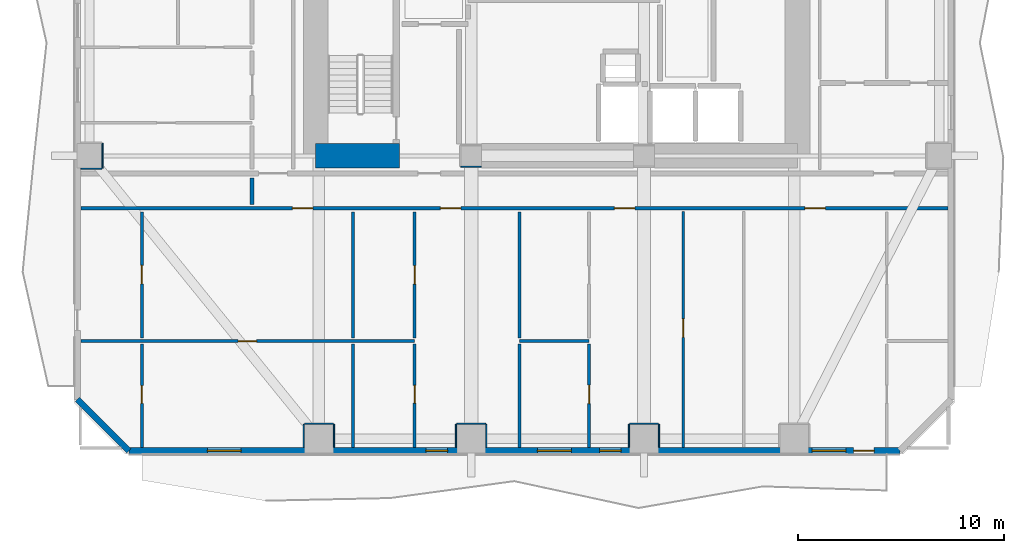
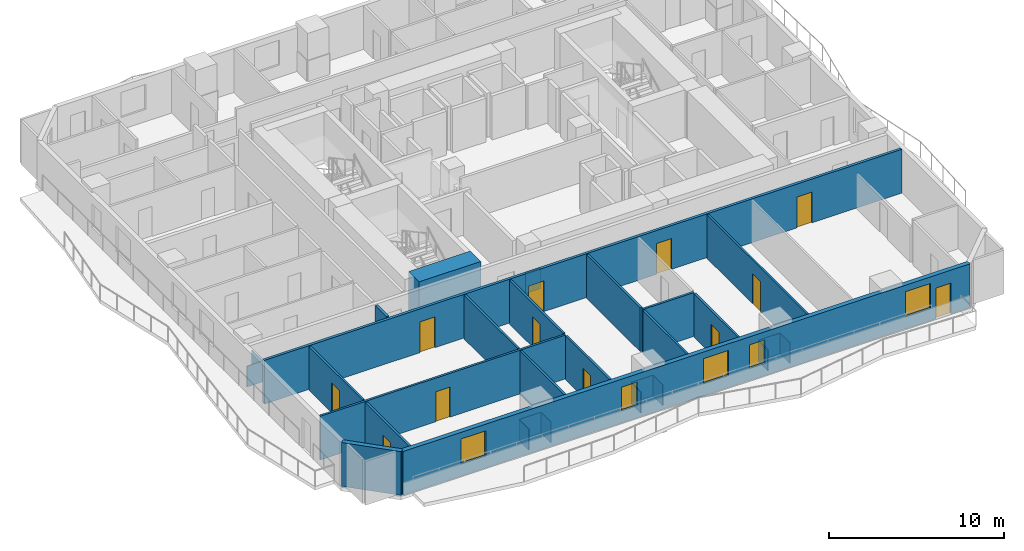
# One storey, part 2 of 11: 29 walls, 12 doors, 5 windows, 17 openings.
"""IFC4 building model written with IfcOpenShell, lengths in metres."""

from ifc_helpers import new_model, si_unit, direction, frame, frame_2d, origin, place, context, subcontext, project, spatial, rectangle, extrude, material, layer, layer_set, type_object, element, fill, save


model = new_model("IFC4")

# Units and contexts
model_context = context("Model", 3, precision=1e-05, world=origin(), true_north=direction((0.0, 1.0)))
body_context = subcontext(model_context, "Body", "Model", "MODEL_VIEW")
ifc_project = project(units=[si_unit("LENGTHUNIT", "METRE"), si_unit("AREAUNIT", "SQUARE_METRE"), si_unit("VOLUMEUNIT", "CUBIC_METRE"), si_unit("PLANEANGLEUNIT", "RADIAN"), si_unit("MASSUNIT", "GRAM", prefix="KILO")], contexts=[model_context])

# Site, building, storey
site_placement = place(None, origin())
site = spatial("IfcSite", under=ifc_project, at=site_placement, CompositionType="ELEMENT")
building_placement = place(site_placement, origin())
building = spatial("IfcBuilding", under=site, at=building_placement, Name="Solanera Arch Residences", CompositionType="ELEMENT")
storey_placement = place(building_placement, frame((0.0, 0.0, 25.320068359375)))
storey = spatial("IfcBuildingStorey", under=building, at=storey_placement, Name="L06", CompositionType="ELEMENT", Elevation=25.320068359375)

# Walls
ifc_material_1 = material(Name="Fire-Rated Gypsum Stud Partition", Category="gypsum")
ifc_layer_1 = layer(ifc_material_1, 0.06005859375)
ifc_layer_set_1 = layer_set([ifc_layer_1], Name="Fire-Rated Gypsum Stud Partition")
wall_type_1 = type_object("IfcWallType", Name="Column Acoustic Furring Wall 60", PredefinedType="PARTITIONING", material=ifc_layer_set_1)
wall_1_placement = place(storey_placement, frame((20.300048828125, 21.468017578125, 0.0), z_axis=(0.0, 0.0, 1.0), x_axis=(1.0, 0.0, 0.0)))
element("IfcWall", 1, at=wall_1_placement, inside=storey, type_object=wall_type_1, Name="L06 Column Furring 1S", PredefinedType="PARTITIONING", context=body_context, shape_type="SweptSolid", body=[
    extrude(rectangle(XDim=0.989990234375, YDim=0.06005859375, at=frame_2d((0.4951171875, 0.0))), origin(), (0.0, 0.0, 1.0), 1.449951171875),
])
wall_2_placement = place(storey_placement, frame((12.699951171875, 8.98193359375, 0.0), z_axis=(0.0, 0.0, 1.0), x_axis=(1.0, 0.0, 0.0)))
element("IfcWall", 2, at=wall_2_placement, inside=storey, type_object=wall_type_1, Name="L06 Column Furring 9N", PredefinedType="PARTITIONING", context=body_context, shape_type="SweptSolid", body=[
    extrude(rectangle(XDim=1.400146484375, YDim=0.06005859375, at=frame_2d((0.7001953125, 0.0))), origin(), (0.0, 0.0, 1.0), 1.449951171875),
])
for number, where, z_axis, x_axis, name in (
    (3, (12.66796875, 7.830078125, 0.0), (0.0, 0.0, 1.0), (0.0, 1.0, 0.0), "L06 Column Furring 9W"),
    (4, (14.132080078125, 7.830078125, 0.0), (0.0, 0.0, 1.0), (0.0, 1.0, 0.0), "L06 Column Furring 9E"),
):
    element("IfcWall", number, at=place(storey_placement, frame(where, z_axis=z_axis, x_axis=x_axis)), inside=storey, type_object=wall_type_1, Name=name, PredefinedType="PARTITIONING", context=body_context, shape_type="SweptSolid", body=[
        extrude(rectangle(XDim=1.119873046875, YDim=0.06005859375, at=frame_2d((0.56005859375, 0.0))), origin(), (0.0, 0.0, 1.0), 1.449951171875),
    ])
wall_3_placement = place(storey_placement, frame((20.10009765625, 8.98193359375, 0.0), z_axis=(0.0, 0.0, 1.0), x_axis=(1.0, 0.0, 0.0)))
element("IfcWall", 5, at=wall_3_placement, inside=storey, type_object=wall_type_1, Name="L06 Column Furring 11N", PredefinedType="PARTITIONING", context=body_context, shape_type="SweptSolid", body=[
    extrude(rectangle(XDim=1.39990234375, YDim=0.06005859375, at=frame_2d((0.699951171875, 0.0))), origin(), (0.0, 0.0, 1.0), 1.449951171875),
])
for number, where, z_axis, x_axis, name in (
    (6, (20.068115234375, 7.830078125, 0.0), (0.0, 0.0, 1.0), (0.0, 1.0, 0.0), "L06 Column Furring 11W"),
    (7, (21.531982421875, 7.830078125, 0.0), (0.0, 0.0, 1.0), (0.0, 1.0, 0.0), "L06 Column Furring 11E"),
):
    element("IfcWall", number, at=place(storey_placement, frame(where, z_axis=z_axis, x_axis=x_axis)), inside=storey, type_object=wall_type_1, Name=name, PredefinedType="PARTITIONING", context=body_context, shape_type="SweptSolid", body=[
        extrude(rectangle(XDim=1.119873046875, YDim=0.06005859375, at=frame_2d((0.56005859375, 0.0))), origin(), (0.0, 0.0, 1.0), 1.449951171875),
    ])
wall_4_placement = place(storey_placement, frame((28.5, 8.98193359375, 0.0), z_axis=(0.0, 0.0, 1.0), x_axis=(1.0, 0.0, 0.0)))
element("IfcWall", 8, at=wall_4_placement, inside=storey, type_object=wall_type_1, Name="L06 Column Furring 13N", PredefinedType="PARTITIONING", context=body_context, shape_type="SweptSolid", body=[
    extrude(rectangle(XDim=1.39990234375, YDim=0.06005859375, at=frame_2d((0.699951171875, 0.0))), origin(), (0.0, 0.0, 1.0), 1.449951171875),
])
for number, where, z_axis, x_axis, name in (
    (9, (28.468017578125, 7.830078125, 0.0), (0.0, 0.0, 1.0), (0.0, 1.0, 0.0), "L06 Column Furring 13W"),
    (10, (29.931884765625, 7.830078125, 0.0), (0.0, 0.0, 1.0), (0.0, 1.0, 0.0), "L06 Column Furring 13E"),
):
    element("IfcWall", number, at=place(storey_placement, frame(where, z_axis=z_axis, x_axis=x_axis)), inside=storey, type_object=wall_type_1, Name=name, PredefinedType="PARTITIONING", context=body_context, shape_type="SweptSolid", body=[
        extrude(rectangle(XDim=1.119873046875, YDim=0.06005859375, at=frame_2d((0.56005859375, 0.0))), origin(), (0.0, 0.0, 1.0), 1.449951171875),
    ])
wall_5_placement = place(storey_placement, frame((1.830078125, 21.367919921875, 0.0), z_axis=(0.0, 0.0, 1.0), x_axis=(1.0, 0.0, 0.0)))
element("IfcWall", 11, at=wall_5_placement, inside=storey, type_object=wall_type_1, Name="L06 Column Furring 17S", PredefinedType="PARTITIONING", context=body_context, shape_type="SweptSolid", body=[
    extrude(rectangle(XDim=1.02001953125, YDim=0.06005859375, at=frame_2d((0.510009765625, 0.0))), origin(), (0.0, 0.0, 1.0), 1.449951171875),
])
wall_6_placement = place(storey_placement, frame((2.882080078125, 21.39990234375, 0.0), z_axis=(0.0, 0.0, 1.0), x_axis=(0.0, 1.0, 0.0)))
element("IfcWall", 12, at=wall_6_placement, inside=storey, type_object=wall_type_1, Name="L06 Column Furring 17E", PredefinedType="PARTITIONING", context=body_context, shape_type="SweptSolid", body=[
    extrude(rectangle(XDim=1.2001953125, YDim=0.06005859375, at=frame_2d((0.60009765625, 0.0))), origin(), (0.0, 0.0, 1.0), 1.449951171875),
])
ifc_material_2 = material(Name="Concrete C55/67 (f'c = 60 MPa)", Category="concrete")
ifc_layer_2 = layer(ifc_material_2, 1.199951171875)
ifc_layer_set_2 = layer_set([ifc_layer_2], Name="Concrete C55/67 (f'c = 60 MPa)")
wall_type_2 = type_object("IfcWallType", Name="Core Shear Wall CW-1200", PredefinedType="SHEAR", material=ifc_layer_set_2)
wall_7_placement = place(storey_placement, frame((13.239990234375, 22.0, 0.0), z_axis=(0.0, 0.0, 1.0), x_axis=(1.0, 0.0, 0.0)))
element("IfcWall", 13, at=wall_7_placement, inside=storey, type_object=wall_type_2, Name="L06 South-West Core Shear Wall", PredefinedType="SHEAR", context=body_context, shape_type="SweptSolid", body=[
    extrude(rectangle(XDim=4.080078125, YDim=1.199951171875, at=frame_2d((2.0400390625, 0.0))), origin(), (0.0, 0.0, 1.0), 3.31982421875),
])

# Wall, openings, doors
ifc_material_3 = material(Name="Autoclaved Aerated Concrete Blockwork", Category="masonry")
ifc_layer_3 = layer(ifc_material_3, 0.179931640625)
ifc_layer_set_3 = layer_set([ifc_layer_3], Name="Autoclaved Aerated Concrete Blockwork")
wall_type_3 = type_object("IfcWallType", Name="Corridor Fire Partition 180", PredefinedType="PARTITIONING", material=ifc_layer_set_3)
wall_8_placement = place(storey_placement, frame((1.826904296875, 19.449951171875, 0.0), z_axis=(0.0, 0.0, 1.0), x_axis=(1.0, 0.0, 0.0)))
wall_8 = element("IfcWall", 14, at=wall_8_placement, inside=storey, type_object=wall_type_3, Name="L06 Interior Partition H8", PredefinedType="PARTITIONING", context=body_context, shape_type="SweptSolid", body=[
    extrude(rectangle(XDim=42.14599609375, YDim=0.179931640625, at=frame_2d((21.072998046875, 0.0))), origin(), (0.0, 0.0, 1.0), 3.059814453125),
])
opening_1_placement = place(wall_8_placement, frame((10.282958984375, 0.0, 0.0)))
opening_1 = element("IfcOpeningElement", 15, at=opening_1_placement, cuts=wall_8, Name="Opening DI-01", PredefinedType="OPENING", context=body_context, shape_type="SweptSolid", body=[
    extrude(rectangle(XDim=1.0, YDim=2.14990234375, at=frame_2d((0.5, 1.074951171875))), frame((0.0, 0.10009765625, 0.0), z_axis=(0.0, -1.0, 0.0), x_axis=(1.0, 0.0, 0.0)), (0.0, 0.0, 1.0), 0.1999),
])
opening_2_placement = place(wall_8_placement, frame((17.47509765625, 0.0, 0.0)))
opening_2 = element("IfcOpeningElement", 16, at=opening_2_placement, cuts=wall_8, Name="Opening DI-01", PredefinedType="OPENING", context=body_context, shape_type="SweptSolid", body=[
    extrude(rectangle(XDim=1.0, YDim=2.14990234375, at=frame_2d((0.5, 1.074951171875))), frame((0.0, 0.10009765625, 0.0), z_axis=(0.0, -1.0, 0.0), x_axis=(1.0, 0.0, 0.0)), (0.0, 0.0, 1.0), 0.1999),
])
opening_3_placement = place(wall_8_placement, frame((25.927978515625, 0.0, 0.0)))
opening_3 = element("IfcOpeningElement", 17, at=opening_3_placement, cuts=wall_8, Name="Opening DI-01", PredefinedType="OPENING", context=body_context, shape_type="SweptSolid", body=[
    extrude(rectangle(XDim=1.0, YDim=2.14990234375, at=frame_2d((0.5, 1.074951171875))), frame((0.0, 0.10009765625, 0.0), z_axis=(0.0, -1.0, 0.0), x_axis=(1.0, 0.0, 0.0)), (0.0, 0.0, 1.0), 0.1999),
])
opening_4_placement = place(wall_8_placement, frame((35.193115234375, 0.0, 0.0)))
opening_4 = element("IfcOpeningElement", 18, at=opening_4_placement, cuts=wall_8, Name="Opening DI-01", PredefinedType="OPENING", context=body_context, shape_type="SweptSolid", body=[
    extrude(rectangle(XDim=1.0, YDim=2.14990234375, at=frame_2d((0.5, 1.074951171875))), frame((0.0, 0.10009765625, 0.0), z_axis=(0.0, -1.0, 0.0), x_axis=(1.0, 0.0, 0.0)), (0.0, 0.0, 1.0), 0.1999),
])
ifc_material_4 = material(Name="Fire-Rated Architectural Hardwood", Category="wood")
door_type_1 = type_object("IfcDoorType", Name="Unit Entrance Fire Door DI-01", OperationType="NOTDEFINED", PredefinedType="DOOR", material=ifc_material_4)
door_1_placement = place(opening_1_placement, origin())
door_1 = element("IfcDoor", 19, at=door_1_placement, inside=storey, type_object=door_type_1, Name="DR-L06-IN-013", OperationType="SINGLE_SWING_LEFT", OverallHeight=2.14990234375, OverallWidth=1.0, PredefinedType="DOOR", context=body_context, shape_type="SweptSolid", body=[
    extrude(rectangle(XDim=1.0, YDim=2.14990234375, at=frame_2d((0.5, 1.074951171875))), frame((0.0, 0.02490234375, 0.0), z_axis=(0.0, -1.0, 0.0), x_axis=(1.0, 0.0, 0.0)), (0.0, 0.0, 1.0), 0.050048828125),
])
fill(opening_1, door_1)
door_2_placement = place(opening_2_placement, origin())
door_2 = element("IfcDoor", 20, at=door_2_placement, inside=storey, type_object=door_type_1, Name="DR-L06-IN-017", OperationType="SINGLE_SWING_LEFT", OverallHeight=2.14990234375, OverallWidth=1.0, PredefinedType="DOOR", context=body_context, shape_type="SweptSolid", body=[
    extrude(rectangle(XDim=1.0, YDim=2.14990234375, at=frame_2d((0.5, 1.074951171875))), frame((0.0, 0.02490234375, 0.0), z_axis=(0.0, -1.0, 0.0), x_axis=(1.0, 0.0, 0.0)), (0.0, 0.0, 1.0), 0.050048828125),
])
fill(opening_2, door_2)
door_3_placement = place(opening_3_placement, origin())
door_3 = element("IfcDoor", 21, at=door_3_placement, inside=storey, type_object=door_type_1, Name="DR-L06-IN-020", OperationType="SINGLE_SWING_RIGHT", OverallHeight=2.14990234375, OverallWidth=1.0, PredefinedType="DOOR", context=body_context, shape_type="SweptSolid", body=[
    extrude(rectangle(XDim=1.0, YDim=2.14990234375, at=frame_2d((0.5, 1.074951171875))), frame((0.0, 0.02490234375, 0.0), z_axis=(0.0, -1.0, 0.0), x_axis=(1.0, 0.0, 0.0)), (0.0, 0.0, 1.0), 0.050048828125),
])
fill(opening_3, door_3)
door_4_placement = place(opening_4_placement, origin())
door_4 = element("IfcDoor", 22, at=door_4_placement, inside=storey, type_object=door_type_1, Name="DR-L06-IN-024", OperationType="SINGLE_SWING_RIGHT", OverallHeight=2.14990234375, OverallWidth=1.0, PredefinedType="DOOR", context=body_context, shape_type="SweptSolid", body=[
    extrude(rectangle(XDim=1.0, YDim=2.14990234375, at=frame_2d((0.5, 1.074951171875))), frame((0.0, 0.02490234375, 0.0), z_axis=(0.0, -1.0, 0.0), x_axis=(1.0, 0.0, 0.0)), (0.0, 0.0, 1.0), 0.050048828125),
])
fill(opening_4, door_4)

# Wall
wall_9_placement = place(storey_placement, frame((10.14990234375, 19.637939453125, 0.0), z_axis=(0.0, 0.0, 1.0), x_axis=(0.0, 1.0, 0.0)))
element("IfcWall", 23, at=wall_9_placement, inside=storey, type_object=wall_type_3, Name="L06 Interior Partition V7 1", PredefinedType="PARTITIONING", context=body_context, shape_type="SweptSolid", body=[
    extrude(rectangle(XDim=1.2939453125, YDim=0.179931640625, at=frame_2d((0.64697265625, 0.0))), origin(), (0.0, 0.0, 1.0), 3.059814453125),
])

# Wall, openings, door, windows
ifc_material_5 = material(Name="Precast Concrete C35/45", Category="concrete")
ifc_layer_4 = layer(ifc_material_5, 0.300048828125)
ifc_layer_set_4 = layer_set([ifc_layer_4], Name="Precast Concrete C35/45")
wall_type_4 = type_object("IfcWallType", Name="Exterior Wall Precast Masonry-Frame 300", PredefinedType="STANDARD", material=ifc_layer_set_4)
wall_10_placement = place(storey_placement, frame((41.635009765625, 7.6650390625, 0.0), z_axis=(0.0, 0.0, 1.0), x_axis=(-1.0, 0.0, 0.0)))
wall_10 = element("IfcWall", 24, at=wall_10_placement, inside=storey, type_object=wall_type_4, Name="L06 Tower Exterior Precast Masonry-Frame Wall S", PredefinedType="STANDARD", context=body_context, shape_type="SweptSolid", body=[
    extrude(rectangle(XDim=37.469970703125, YDim=0.300048828125, at=frame_2d((18.73486328125, 0.0))), origin(), (0.0, 0.0, 1.0), 3.059814453125),
])
opening_5_placement = place(wall_10_placement, frame((1.2509765625, 0.0, 0.0)))
opening_5 = element("IfcOpeningElement", 25, at=opening_5_placement, cuts=wall_10, Name="Opening DB-01", PredefinedType="OPENING", context=body_context, shape_type="SweptSolid", body=[
    extrude(rectangle(XDim=1.0, YDim=2.14990234375, at=frame_2d((0.5, 1.074951171875))), frame((0.0, 0.159912109375, 0.0), z_axis=(0.0, -1.0, 0.0), x_axis=(1.0, 0.0, 0.0)), (0.0, 0.0, 1.0), 0.32),
])
opening_6_placement = place(wall_10_placement, frame((32.010009765625, 0.0, 0.85009765625)))
opening_6 = element("IfcOpeningElement", 26, at=opening_6_placement, cuts=wall_10, Name="Opening W-08", PredefinedType="OPENING", context=body_context, shape_type="SweptSolid", body=[
    extrude(rectangle(XDim=1.64990234375, YDim=1.75, at=frame_2d((0.824951171875, 0.875))), frame((0.0, 0.159912109375, 0.0), z_axis=(0.0, -1.0, 0.0), x_axis=(1.0, 0.0, 0.0)), (0.0, 0.0, 1.0), 0.32),
])
opening_7_placement = place(wall_10_placement, frame((21.985107421875, 0.0, 0.85009765625)))
opening_7 = element("IfcOpeningElement", 27, at=opening_7_placement, cuts=wall_10, Name="Opening W-07", PredefinedType="OPENING", context=body_context, shape_type="SweptSolid", body=[
    extrude(rectangle(XDim=1.050048828125, YDim=1.64990234375, at=frame_2d((0.52490234375, 0.824951171875))), frame((0.0, 0.159912109375, 0.0), z_axis=(0.0, -1.0, 0.0), x_axis=(1.0, 0.0, 0.0)), (0.0, 0.0, 1.0), 0.32),
])
opening_8_placement = place(wall_10_placement, frame((13.544921875, 0.0, 0.85009765625)))
opening_8 = element("IfcOpeningElement", 28, at=opening_8_placement, cuts=wall_10, Name="Opening W-07", PredefinedType="OPENING", context=body_context, shape_type="SweptSolid", body=[
    extrude(rectangle(XDim=1.050048828125, YDim=1.64990234375, at=frame_2d((0.52490234375, 0.824951171875))), frame((0.0, 0.159912109375, 0.0), z_axis=(0.0, -1.0, 0.0), x_axis=(1.0, 0.0, 0.0)), (0.0, 0.0, 1.0), 0.32),
])
opening_9_placement = place(wall_10_placement, frame((15.968017578125, 0.0, 0.85009765625)))
opening_9 = element("IfcOpeningElement", 29, at=opening_9_placement, cuts=wall_10, Name="Opening W-08", PredefinedType="OPENING", context=body_context, shape_type="SweptSolid", body=[
    extrude(rectangle(XDim=1.64990234375, YDim=1.75, at=frame_2d((0.824951171875, 0.875))), frame((0.0, 0.159912109375, 0.0), z_axis=(0.0, -1.0, 0.0), x_axis=(1.0, 0.0, 0.0)), (0.0, 0.0, 1.0), 0.32),
])
opening_10_placement = place(wall_10_placement, frame((2.617919921875, 0.0, 0.85009765625)))
opening_10 = element("IfcOpeningElement", 30, at=opening_10_placement, cuts=wall_10, Name="Opening W-08", PredefinedType="OPENING", context=body_context, shape_type="SweptSolid", body=[
    extrude(rectangle(XDim=1.64990234375, YDim=1.75, at=frame_2d((0.824951171875, 0.875))), frame((0.0, 0.159912109375, 0.0), z_axis=(0.0, -1.0, 0.0), x_axis=(1.0, 0.0, 0.0)), (0.0, 0.0, 1.0), 0.32),
])
ifc_material_6 = material(Name="Anodised Aluminium Alloy 6063-T6", Category="aluminium")
door_type_2 = type_object("IfcDoorType", Name="Glazed Balcony Swing Door DB-01", OperationType="NOTDEFINED", PredefinedType="DOOR", material=ifc_material_6)
door_5_placement = place(opening_5_placement, origin())
door_5 = element("IfcDoor", 31, at=door_5_placement, inside=storey, type_object=door_type_2, Name="DR-L06-OUT-01", OperationType="SINGLE_SWING_RIGHT", OverallHeight=2.14990234375, OverallWidth=1.0, PredefinedType="DOOR", context=body_context, shape_type="SweptSolid", body=[
    extrude(rectangle(XDim=1.0, YDim=2.14990234375, at=frame_2d((0.5, 1.074951171875))), frame((0.0, 0.02490234375, 0.0), z_axis=(0.0, -1.0, 0.0), x_axis=(1.0, 0.0, 0.0)), (0.0, 0.0, 1.0), 0.050048828125),
])
fill(opening_5, door_5)
ifc_material_7 = material(Name="Double Glazed Low-E Laminated Glass", Category="glass")
window_type_1 = type_object("IfcWindowType", Name="Punched Window W-07", PartitioningType="SINGLE_PANEL", PredefinedType="WINDOW", material=ifc_material_7)
window_1_placement = place(opening_7_placement, origin())
window_1 = element("IfcWindow", 32, at=window_1_placement, inside=storey, type_object=window_type_1, Name="L06 0602-LIV Punched Window", OverallHeight=1.64990234375, OverallWidth=1.050048828125, PartitioningType="SINGLE_PANEL", PredefinedType="WINDOW", context=body_context, shape_type="SweptSolid", body=[
    extrude(rectangle(XDim=1.050048828125, YDim=1.64990234375, at=frame_2d((0.52490234375, 0.824951171875))), frame((0.0, 0.030029296875, 0.0), z_axis=(0.0, -1.0, 0.0), x_axis=(1.0, 0.0, 0.0)), (0.0, 0.0, 1.0), 0.06005859375),
])
fill(opening_7, window_1)
window_2_placement = place(opening_8_placement, origin())
window_2 = element("IfcWindow", 33, at=window_2_placement, inside=storey, type_object=window_type_1, Name="L06 0603-LIV Punched Window", OverallHeight=1.64990234375, OverallWidth=1.050048828125, PartitioningType="SINGLE_PANEL", PredefinedType="WINDOW", context=body_context, shape_type="SweptSolid", body=[
    extrude(rectangle(XDim=1.050048828125, YDim=1.64990234375, at=frame_2d((0.52490234375, 0.824951171875))), frame((0.0, 0.030029296875, 0.0), z_axis=(0.0, -1.0, 0.0), x_axis=(1.0, 0.0, 0.0)), (0.0, 0.0, 1.0), 0.06005859375),
])
fill(opening_8, window_2)
ifc_material_8 = material(Name="Double Glazed Low-E Laminated Glass", Category="glass")
window_type_2 = type_object("IfcWindowType", Name="Punched Window W-08", PartitioningType="DOUBLE_PANEL_HORIZONTAL", PredefinedType="WINDOW", material=ifc_material_8)
window_3_placement = place(opening_6_placement, origin())
window_3 = element("IfcWindow", 34, at=window_3_placement, inside=storey, type_object=window_type_2, Name="L06 0601-LIV Punched Window", OverallHeight=1.75, OverallWidth=1.64990234375, PartitioningType="SINGLE_PANEL", PredefinedType="WINDOW", context=body_context, shape_type="SweptSolid", body=[
    extrude(rectangle(XDim=1.64990234375, YDim=1.75, at=frame_2d((0.824951171875, 0.875))), frame((0.0, 0.030029296875, 0.0), z_axis=(0.0, -1.0, 0.0), x_axis=(1.0, 0.0, 0.0)), (0.0, 0.0, 1.0), 0.06005859375),
])
fill(opening_6, window_3)
window_4_placement = place(opening_9_placement, origin())
window_4 = element("IfcWindow", 35, at=window_4_placement, inside=storey, type_object=window_type_2, Name="L06 0603-BR1 Punched Window", OverallHeight=1.75, OverallWidth=1.64990234375, PartitioningType="SINGLE_PANEL", PredefinedType="WINDOW", context=body_context, shape_type="SweptSolid", body=[
    extrude(rectangle(XDim=1.64990234375, YDim=1.75, at=frame_2d((0.824951171875, 0.875))), frame((0.0, 0.030029296875, 0.0), z_axis=(0.0, -1.0, 0.0), x_axis=(1.0, 0.0, 0.0)), (0.0, 0.0, 1.0), 0.06005859375),
])
fill(opening_9, window_4)
window_5_placement = place(opening_10_placement, origin())
window_5 = element("IfcWindow", 36, at=window_5_placement, inside=storey, type_object=window_type_2, Name="L06 0604-LIV Punched Window", OverallHeight=1.75, OverallWidth=1.64990234375, PartitioningType="SINGLE_PANEL", PredefinedType="WINDOW", context=body_context, shape_type="SweptSolid", body=[
    extrude(rectangle(XDim=1.64990234375, YDim=1.75, at=frame_2d((0.824951171875, 0.875))), frame((0.0, 0.030029296875, 0.0), z_axis=(0.0, -1.0, 0.0), x_axis=(1.0, 0.0, 0.0)), (0.0, 0.0, 1.0), 0.06005859375),
])
fill(opening_10, window_5)

# Wall
wall_11_placement = place(storey_placement, frame((4.1650390625, 7.6650390625, 0.0), z_axis=(0.0, 0.0, 1.0), x_axis=(-0.707106781187, 0.707106781187, 0.0)))
element("IfcWall", 37, at=wall_11_placement, inside=storey, type_object=wall_type_4, Name="L06 Tower Exterior Precast Masonry-Frame Wall CH7", PredefinedType="STANDARD", context=body_context, shape_type="SweptSolid", body=[
    extrude(rectangle(XDim=3.53564453125, YDim=0.300048828125, at=frame_2d((1.767822265625, 0.0))), origin(), (0.0, 0.0, 1.0), 3.059814453125),
])

# Wall, opening, door
ifc_material_9 = material(Name="Fire-Rated Gypsum Stud Partition", Category="gypsum")
ifc_layer_5 = layer(ifc_material_9, 0.1201171875)
ifc_layer_set_5 = layer_set([ifc_layer_5], Name="Fire-Rated Gypsum Stud Partition")
wall_type_5 = type_object("IfcWallType", Name="Unit Drywall Partition 120", PredefinedType="PARTITIONING", material=ifc_layer_set_5)
wall_12_placement = place(storey_placement, frame((31.10107421875, 7.826904296875, 0.0), z_axis=(0.0, 0.0, 1.0), x_axis=(0.0, 1.0, 0.0)))
wall_12 = element("IfcWall", 38, at=wall_12_placement, inside=storey, type_object=wall_type_5, Name="L06 Interior Partition V28", PredefinedType="PARTITIONING", context=body_context, shape_type="SweptSolid", body=[
    extrude(rectangle(XDim=11.465087890625, YDim=0.1201171875, at=frame_2d((5.732421875, 0.0))), origin(), (0.0, 0.0, 1.0), 3.059814453125),
])
opening_11_placement = place(wall_12_placement, frame((5.347900390625, 0.0, 0.0)))
opening_11 = element("IfcOpeningElement", 39, at=opening_11_placement, cuts=wall_12, Name="Opening DI-02", PredefinedType="OPENING", context=body_context, shape_type="SweptSolid", body=[
    extrude(rectangle(XDim=0.89990234375, YDim=2.10009765625, at=frame_2d((0.449951171875, 1.050048828125))), frame((0.0, 0.070068359375, 0.0), z_axis=(0.0, -1.0, 0.0), x_axis=(1.0, 0.0, 0.0)), (0.0, 0.0, 1.0), 0.1401),
])
ifc_material_10 = material(Name="Fire-Rated Architectural Hardwood", Category="wood")
door_type_3 = type_object("IfcDoorType", Name="Suite Room Swing Door DI-02", OperationType="NOTDEFINED", PredefinedType="DOOR", material=ifc_material_10)
door_6_placement = place(opening_11_placement, origin())
door_6 = element("IfcDoor", 40, at=door_6_placement, inside=storey, type_object=door_type_3, Name="DR-L06-IN-023", OperationType="SINGLE_SWING_LEFT", OverallHeight=2.10009765625, OverallWidth=0.89990234375, PredefinedType="DOOR", context=body_context, shape_type="SweptSolid", body=[
    extrude(rectangle(XDim=0.89990234375, YDim=2.10009765625, at=frame_2d((0.449951171875, 1.050048828125))), frame((0.0, 0.02490234375, 0.0), z_axis=(0.0, -1.0, 0.0), x_axis=(1.0, 0.0, 0.0)), (0.0, 0.0, 1.0), 0.050048828125),
])
fill(opening_11, door_6)

ifc_material_11 = material(Name="Autoclaved Aerated Concrete Blockwork", Category="masonry")
ifc_layer_6 = layer(ifc_material_11, 0.139892578125)
ifc_layer_set_6 = layer_set([ifc_layer_6], Name="Autoclaved Aerated Concrete Blockwork")
wall_type_6 = type_object("IfcWallType", Name="Wet-Room Partition 140", PredefinedType="PARTITIONING", material=ifc_layer_set_6)
wall_13_placement = place(storey_placement, frame((1.826904296875, 13.0, 0.0), z_axis=(0.0, 0.0, 1.0), x_axis=(1.0, 0.0, 0.0)))
wall_13 = element("IfcWall", 41, at=wall_13_placement, inside=storey, type_object=wall_type_6, Name="L06 Interior Partition H15", PredefinedType="PARTITIONING", context=body_context, shape_type="SweptSolid", body=[
    extrude(rectangle(XDim=16.22314453125, YDim=0.139892578125, at=frame_2d((8.111572265625, 0.0))), origin(), (0.0, 0.0, 1.0), 3.059814453125),
])
opening_12_placement = place(wall_13_placement, frame((7.64794921875, 0.0, 0.0)))
opening_12 = element("IfcOpeningElement", 42, at=opening_12_placement, cuts=wall_13, Name="Opening DI-02", PredefinedType="OPENING", context=body_context, shape_type="SweptSolid", body=[
    extrude(rectangle(XDim=0.89990234375, YDim=2.10009765625, at=frame_2d((0.449951171875, 1.050048828125))), frame((0.0, 0.079833984375, 0.0), z_axis=(0.0, -1.0, 0.0), x_axis=(1.0, 0.0, 0.0)), (0.0, 0.0, 1.0), 0.1599),
])
door_7_placement = place(opening_12_placement, origin())
door_7 = element("IfcDoor", 43, at=door_7_placement, inside=storey, type_object=door_type_3, Name="DR-L06-IN-014", OperationType="SINGLE_SWING_RIGHT", OverallHeight=2.10009765625, OverallWidth=0.89990234375, PredefinedType="DOOR", context=body_context, shape_type="SweptSolid", body=[
    extrude(rectangle(XDim=0.89990234375, YDim=2.10009765625, at=frame_2d((0.449951171875, 1.050048828125))), frame((0.0, 0.02490234375, 0.0), z_axis=(0.0, -1.0, 0.0), x_axis=(1.0, 0.0, 0.0)), (0.0, 0.0, 1.0), 0.050048828125),
])
fill(opening_12, door_7)

# Wall
wall_14_placement = place(storey_placement, frame((23.154052734375, 13.0, 0.0), z_axis=(0.0, 0.0, 1.0), x_axis=(1.0, 0.0, 0.0)))
element("IfcWall", 44, at=wall_14_placement, inside=storey, type_object=wall_type_6, Name="L06 Interior Partition H16", PredefinedType="PARTITIONING", context=body_context, shape_type="SweptSolid", body=[
    extrude(rectangle(XDim=3.375, YDim=0.139892578125, at=frame_2d((1.6875, 0.0))), origin(), (0.0, 0.0, 1.0), 3.059814453125),
])

# Wall, opening, door
wall_15_placement = place(storey_placement, frame((4.800048828125, 7.826904296875, 0.0), z_axis=(0.0, 0.0, 1.0), x_axis=(0.0, 1.0, 0.0)))
wall_15 = element("IfcWall", 45, at=wall_15_placement, inside=storey, type_object=wall_type_6, Name="L06 Interior Partition V14 1", PredefinedType="PARTITIONING", context=body_context, shape_type="SweptSolid", body=[
    extrude(rectangle(XDim=5.025146484375, YDim=0.139892578125, at=frame_2d((2.5126953125, 0.0))), origin(), (0.0, 0.0, 1.0), 3.059814453125),
])
opening_13_placement = place(wall_15_placement, frame((2.14306640625, 0.0, 0.0)))
opening_13 = element("IfcOpeningElement", 46, at=opening_13_placement, cuts=wall_15, Name="Opening DI-05", PredefinedType="OPENING", context=body_context, shape_type="SweptSolid", body=[
    extrude(rectangle(XDim=0.860107421875, YDim=2.02001953125, at=frame_2d((0.43017578125, 1.010009765625))), frame((0.0, 0.079833984375, 0.0), z_axis=(0.0, -1.0, 0.0), x_axis=(1.0, 0.0, 0.0)), (0.0, 0.0, 1.0), 0.1599),
])
ifc_material_12 = material(Name="Fire-Rated Architectural Hardwood", Category="wood")
door_type_4 = type_object("IfcDoorType", Name="Bathroom Swing Door DI-05", OperationType="NOTDEFINED", PredefinedType="DOOR", material=ifc_material_12)
door_8_placement = place(opening_13_placement, origin())
door_8 = element("IfcDoor", 47, at=door_8_placement, inside=storey, type_object=door_type_4, Name="DR-L06-IN-016", OperationType="SINGLE_SWING_RIGHT", OverallHeight=2.02001953125, OverallWidth=0.860107421875, PredefinedType="DOOR", context=body_context, shape_type="SweptSolid", body=[
    extrude(rectangle(XDim=0.860107421875, YDim=2.02001953125, at=frame_2d((0.43017578125, 1.010009765625))), frame((0.0, 0.02490234375, 0.0), z_axis=(0.0, -1.0, 0.0), x_axis=(1.0, 0.0, 0.0)), (0.0, 0.0, 1.0), 0.050048828125),
])
fill(opening_13, door_8)

wall_16_placement = place(storey_placement, frame((4.800048828125, 13.14794921875, 0.0), z_axis=(0.0, 0.0, 1.0), x_axis=(0.0, 1.0, 0.0)))
wall_16 = element("IfcWall", 48, at=wall_16_placement, inside=storey, type_object=wall_type_6, Name="L06 Interior Partition V14 2", PredefinedType="PARTITIONING", context=body_context, shape_type="SweptSolid", body=[
    extrude(rectangle(XDim=6.134033203125, YDim=0.139892578125, at=frame_2d((3.06689453125, 0.0))), origin(), (0.0, 0.0, 1.0), 3.059814453125),
])
opening_14_placement = place(wall_16_placement, frame((2.626953125, 0.0, 0.0)))
opening_14 = element("IfcOpeningElement", 49, at=opening_14_placement, cuts=wall_16, Name="Opening DI-02", PredefinedType="OPENING", context=body_context, shape_type="SweptSolid", body=[
    extrude(rectangle(XDim=0.89990234375, YDim=2.10009765625, at=frame_2d((0.449951171875, 1.050048828125))), frame((0.0, 0.079833984375, 0.0), z_axis=(0.0, -1.0, 0.0), x_axis=(1.0, 0.0, 0.0)), (0.0, 0.0, 1.0), 0.1599),
])
door_9_placement = place(opening_14_placement, origin())
door_9 = element("IfcDoor", 50, at=door_9_placement, inside=storey, type_object=door_type_3, Name="DR-L06-IN-015", OperationType="SINGLE_SWING_LEFT", OverallHeight=2.10009765625, OverallWidth=0.89990234375, PredefinedType="DOOR", context=body_context, shape_type="SweptSolid", body=[
    extrude(rectangle(XDim=0.89990234375, YDim=2.10009765625, at=frame_2d((0.449951171875, 1.050048828125))), frame((0.0, 0.02490234375, 0.0), z_axis=(0.0, -1.0, 0.0), x_axis=(1.0, 0.0, 0.0)), (0.0, 0.0, 1.0), 0.050048828125),
])
fill(opening_14, door_9)

# Walls
wall_17_placement = place(storey_placement, frame((15.050048828125, 7.826904296875, 0.0), z_axis=(0.0, 0.0, 1.0), x_axis=(0.0, 1.0, 0.0)))
element("IfcWall", 51, at=wall_17_placement, inside=storey, type_object=wall_type_6, Name="L06 Interior Partition V18 1", PredefinedType="PARTITIONING", context=body_context, shape_type="SweptSolid", body=[
    extrude(rectangle(XDim=5.025146484375, YDim=0.139892578125, at=frame_2d((2.5126953125, 0.0))), origin(), (0.0, 0.0, 1.0), 3.059814453125),
])
wall_18_placement = place(storey_placement, frame((15.050048828125, 13.14794921875, 0.0), z_axis=(0.0, 0.0, 1.0), x_axis=(0.0, 1.0, 0.0)))
element("IfcWall", 52, at=wall_18_placement, inside=storey, type_object=wall_type_6, Name="L06 Interior Partition V18 2", PredefinedType="PARTITIONING", context=body_context, shape_type="SweptSolid", body=[
    extrude(rectangle(XDim=6.134033203125, YDim=0.139892578125, at=frame_2d((3.06689453125, 0.0))), origin(), (0.0, 0.0, 1.0), 3.059814453125),
])

# Wall, opening, door
wall_19_placement = place(storey_placement, frame((18.050048828125, 7.826904296875, 0.0), z_axis=(0.0, 0.0, 1.0), x_axis=(0.0, 1.0, 0.0)))
wall_19 = element("IfcWall", 53, at=wall_19_placement, inside=storey, type_object=wall_type_6, Name="L06 Interior Partition V19 1", PredefinedType="PARTITIONING", context=body_context, shape_type="SweptSolid", body=[
    extrude(rectangle(XDim=5.025146484375, YDim=0.139892578125, at=frame_2d((2.5126953125, 0.0))), origin(), (0.0, 0.0, 1.0), 3.059814453125),
])
opening_15_placement = place(wall_19_placement, frame((2.156005859375, 0.0, 0.0)))
opening_15 = element("IfcOpeningElement", 54, at=opening_15_placement, cuts=wall_19, Name="Opening DI-05", PredefinedType="OPENING", context=body_context, shape_type="SweptSolid", body=[
    extrude(rectangle(XDim=0.860107421875, YDim=2.02001953125, at=frame_2d((0.43017578125, 1.010009765625))), frame((0.0, 0.079833984375, 0.0), z_axis=(0.0, -1.0, 0.0), x_axis=(1.0, 0.0, 0.0)), (0.0, 0.0, 1.0), 0.1599),
])
door_10_placement = place(opening_15_placement, origin())
door_10 = element("IfcDoor", 55, at=door_10_placement, inside=storey, type_object=door_type_4, Name="DR-L06-IN-019", OperationType="SINGLE_SWING_LEFT", OverallHeight=2.02001953125, OverallWidth=0.860107421875, PredefinedType="DOOR", context=body_context, shape_type="SweptSolid", body=[
    extrude(rectangle(XDim=0.860107421875, YDim=2.02001953125, at=frame_2d((0.43017578125, 1.010009765625))), frame((0.0, 0.02490234375, 0.0), z_axis=(0.0, -1.0, 0.0), x_axis=(1.0, 0.0, 0.0)), (0.0, 0.0, 1.0), 0.050048828125),
])
fill(opening_15, door_10)

wall_20_placement = place(storey_placement, frame((18.050048828125, 13.14794921875, 0.0), z_axis=(0.0, 0.0, 1.0), x_axis=(0.0, 1.0, 0.0)))
wall_20 = element("IfcWall", 56, at=wall_20_placement, inside=storey, type_object=wall_type_6, Name="L06 Interior Partition V19 2", PredefinedType="PARTITIONING", context=body_context, shape_type="SweptSolid", body=[
    extrude(rectangle(XDim=6.134033203125, YDim=0.139892578125, at=frame_2d((3.06689453125, 0.0))), origin(), (0.0, 0.0, 1.0), 3.059814453125),
])
opening_16_placement = place(wall_20_placement, frame((2.614013671875, 0.0, 0.0)))
opening_16 = element("IfcOpeningElement", 57, at=opening_16_placement, cuts=wall_20, Name="Opening DI-02", PredefinedType="OPENING", context=body_context, shape_type="SweptSolid", body=[
    extrude(rectangle(XDim=0.89990234375, YDim=2.10009765625, at=frame_2d((0.449951171875, 1.050048828125))), frame((0.0, 0.079833984375, 0.0), z_axis=(0.0, -1.0, 0.0), x_axis=(1.0, 0.0, 0.0)), (0.0, 0.0, 1.0), 0.1599),
])
door_11_placement = place(opening_16_placement, origin())
door_11 = element("IfcDoor", 58, at=door_11_placement, inside=storey, type_object=door_type_3, Name="DR-L06-IN-018", OperationType="SINGLE_SWING_RIGHT", OverallHeight=2.10009765625, OverallWidth=0.89990234375, PredefinedType="DOOR", context=body_context, shape_type="SweptSolid", body=[
    extrude(rectangle(XDim=0.89990234375, YDim=2.10009765625, at=frame_2d((0.449951171875, 1.050048828125))), frame((0.0, 0.02490234375, 0.0), z_axis=(0.0, -1.0, 0.0), x_axis=(1.0, 0.0, 0.0)), (0.0, 0.0, 1.0), 0.050048828125),
])
fill(opening_16, door_11)

# Walls
wall_21_placement = place(storey_placement, frame((23.154052734375, 7.826904296875, 0.0), z_axis=(0.0, 0.0, 1.0), x_axis=(0.0, 1.0, 0.0)))
element("IfcWall", 59, at=wall_21_placement, inside=storey, type_object=wall_type_6, Name="L06 Interior Partition V20 1", PredefinedType="PARTITIONING", context=body_context, shape_type="SweptSolid", body=[
    extrude(rectangle(XDim=5.025146484375, YDim=0.139892578125, at=frame_2d((2.5126953125, 0.0))), origin(), (0.0, 0.0, 1.0), 3.059814453125),
])
wall_22_placement = place(storey_placement, frame((23.154052734375, 13.14794921875, 0.0), z_axis=(0.0, 0.0, 1.0), x_axis=(0.0, 1.0, 0.0)))
element("IfcWall", 60, at=wall_22_placement, inside=storey, type_object=wall_type_6, Name="L06 Interior Partition V20 2", PredefinedType="PARTITIONING", context=body_context, shape_type="SweptSolid", body=[
    extrude(rectangle(XDim=6.134033203125, YDim=0.139892578125, at=frame_2d((3.06689453125, 0.0))), origin(), (0.0, 0.0, 1.0), 3.059814453125),
])

# Wall, opening, door
wall_23_placement = place(storey_placement, frame((26.529052734375, 7.826904296875, 0.0), z_axis=(0.0, 0.0, 1.0), x_axis=(0.0, 1.0, 0.0)))
wall_23 = element("IfcWall", 61, at=wall_23_placement, inside=storey, type_object=wall_type_6, Name="L06 Interior Partition V22 1", PredefinedType="PARTITIONING", context=body_context, shape_type="SweptSolid", body=[
    extrude(rectangle(XDim=5.025146484375, YDim=0.139892578125, at=frame_2d((2.5126953125, 0.0))), origin(), (0.0, 0.0, 1.0), 3.059814453125),
])
opening_17_placement = place(wall_23_placement, frame((2.135986328125, 0.0, 0.0)))
opening_17 = element("IfcOpeningElement", 62, at=opening_17_placement, cuts=wall_23, Name="Opening DI-03", PredefinedType="OPENING", context=body_context, shape_type="SweptSolid", body=[
    extrude(rectangle(XDim=0.89990234375, YDim=2.10009765625, at=frame_2d((0.449951171875, 1.050048828125))), frame((0.0, 0.079833984375, 0.0), z_axis=(0.0, -1.0, 0.0), x_axis=(1.0, 0.0, 0.0)), (0.0, 0.0, 1.0), 0.1599),
])
ifc_material_13 = material(Name="Fire-Rated Architectural Hardwood", Category="wood")
door_type_5 = type_object("IfcDoorType", Name="Bedroom Swing Door DI-03", OperationType="NOTDEFINED", PredefinedType="DOOR", material=ifc_material_13)
door_12_placement = place(opening_17_placement, origin())
door_12 = element("IfcDoor", 63, at=door_12_placement, inside=storey, type_object=door_type_5, Name="DR-L06-IN-022", OperationType="SINGLE_SWING_RIGHT", OverallHeight=2.10009765625, OverallWidth=0.89990234375, PredefinedType="DOOR", context=body_context, shape_type="SweptSolid", body=[
    extrude(rectangle(XDim=0.89990234375, YDim=2.10009765625, at=frame_2d((0.449951171875, 1.050048828125))), frame((0.0, 0.02490234375, 0.0), z_axis=(0.0, -1.0, 0.0), x_axis=(1.0, 0.0, 0.0)), (0.0, 0.0, 1.0), 0.050048828125),
])
fill(opening_17, door_12)

save(model, "model.ifc")
